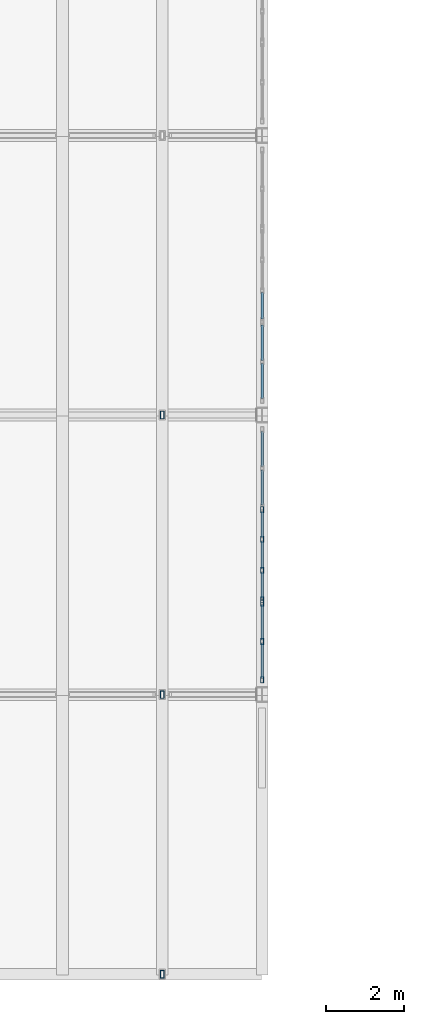
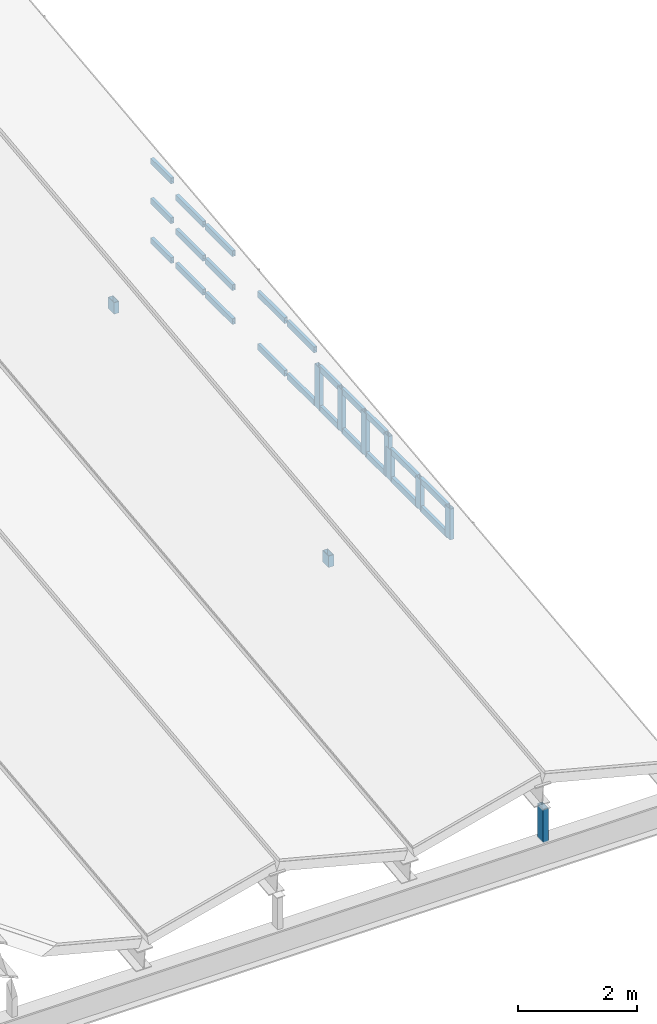
# One storey, part 22 of 39: 33 members, 5 elements without a shape of their own.
"""IFC4 building model written with IfcOpenShell, lengths in metres."""

from ifc_helpers import new_model, si_unit, direction, frame, origin, origin_2d, place, context, subcontext, project, spatial, hollow_rectangle, extrude, material, layer, layer_set, material_profile, profile_set, type_object, element, aggregate, save


model = new_model("IFC4")

# Units and contexts
model_context = context("Model", 3, precision=1e-05, world=origin(), true_north=direction((0.0, 1.0)))
body_context = subcontext(model_context, "Body", "Model", "MODEL_VIEW")
ifc_project = project(units=[si_unit("LENGTHUNIT", "METRE"), si_unit("AREAUNIT", "SQUARE_METRE"), si_unit("VOLUMEUNIT", "CUBIC_METRE"), si_unit("PLANEANGLEUNIT", "RADIAN"), si_unit("MASSUNIT", "GRAM", prefix="KILO"), si_unit("THERMODYNAMICTEMPERATUREUNIT", "KELVIN"), si_unit("POWERUNIT", "WATT")], contexts=[model_context])

# Site, building, storey
site_placement = place(None, origin())
site = spatial("IfcSite", under=ifc_project, at=site_placement, CompositionType="ELEMENT")
building_placement = place(site_placement, origin())
building = spatial("IfcBuilding", under=site, at=building_placement, Name="Kaldorven Railside Theatre", CompositionType="ELEMENT")
storey_placement = place(building_placement, frame((0.0, 0.0, 27.300048828125)))
storey = spatial("IfcBuildingStorey", under=building, at=storey_placement, Name="ROOF", CompositionType="ELEMENT", Elevation=27.300048828125)

# Curtain wall, members
ifc_material_1 = material(Name="Low-E laminated solar-control glass", Category="glass")
ifc_layer_1 = layer(ifc_material_1, 0.159912109375, Name="Low-E laminated solar-control glass")
ifc_layer_set_1 = layer_set([ifc_layer_1], Name="Low-E laminated solar-control glass")
curtain_wall_type_1 = type_object("IfcCurtainWallType", Name="CWT-53", PredefinedType="USERDEFINED", material=ifc_layer_set_1)
curtain_wall_1_placement = place(storey_placement, origin())
curtain_wall_1 = element("IfcCurtainWall", 1, at=curtain_wall_1_placement, inside=storey, type_object=curtain_wall_type_1, Name="Fly-Tower East Crown Clerestory CWG-102", ObjectType="FLUTED GLAZING", PredefinedType="USERDEFINED")
ifc_material_2 = material(Name="Anodised bronze aluminium", Category="aluminium")
ifc_material_profile_1 = material_profile(ifc_material_2, hollow_rectangle(XDim=0.080078125, YDim=0.159912109375, WallThickness=0.00634765625, at=origin_2d()), Name="RHS 160x80x6.3")
ifc_profile_set_1 = profile_set([ifc_material_profile_1], Name="Anodised bronze aluminium")
member_type_1 = type_object("IfcMemberType", Name="CWM-160", PredefinedType="MULLION", material=ifc_profile_set_1)
member_1_placement = place(storey_placement, frame((123.199951171875, 91.580078125, 0.02001953125), z_axis=(0.0, 0.0, 1.0), x_axis=(-1.0, 0.0, 0.0)))
member_1 = element("IfcMember", 2, at=member_1_placement, type_object=member_type_1, Name="CWG-102 mullion 1", PredefinedType="MULLION", context=body_context, shape_type="SweptSolid", body=[
    extrude(hollow_rectangle(XDim=0.080078125, YDim=0.159912109375, WallThickness=0.00634765625, at=origin_2d()), origin(), (0.0, 0.0, 1.0), 0.6298828125),
])
member_2_placement = place(storey_placement, frame((123.199951171875, 92.570068359375, 0.02001953125), z_axis=(0.0, 0.0, 1.0), x_axis=(-1.0, 0.0, 0.0)))
member_2 = element("IfcMember", 3, at=member_2_placement, type_object=member_type_1, Name="CWG-102 mullion 2", PredefinedType="MULLION", context=body_context, shape_type="SweptSolid", body=[
    extrude(hollow_rectangle(XDim=0.080078125, YDim=0.159912109375, WallThickness=0.00634765625, at=origin_2d()), origin(), (0.0, 0.0, 1.0), 0.6298828125),
])
member_3_placement = place(storey_placement, frame((123.199951171875, 93.56005859375, 0.02001953125), z_axis=(0.0, 0.0, 1.0), x_axis=(-1.0, 0.0, 0.0)))
member_3 = element("IfcMember", 4, at=member_3_placement, type_object=member_type_1, Name="CWG-102 mullion 3", PredefinedType="MULLION", context=body_context, shape_type="SweptSolid", body=[
    extrude(hollow_rectangle(XDim=0.080078125, YDim=0.159912109375, WallThickness=0.00634765625, at=origin_2d()), origin(), (0.0, 0.0, 1.0), 0.6298828125),
])

ifc_layer_2 = layer(ifc_material_1, 0.159912109375, Name="Low-E laminated solar-control glass")
ifc_layer_set_2 = layer_set([ifc_layer_2], Name="Low-E laminated solar-control glass")
curtain_wall_type_2 = type_object("IfcCurtainWallType", Name="CWT-27", PredefinedType="USERDEFINED", material=ifc_layer_set_2)
curtain_wall_2_placement = place(storey_placement, origin())
curtain_wall_2 = element("IfcCurtainWall", 5, at=curtain_wall_2_placement, inside=storey, type_object=curtain_wall_type_2, Name="Fly-Tower East Crown Clerestory CWG-103", ObjectType="FLUTED GLAZING", PredefinedType="USERDEFINED")
member_4_placement = place(storey_placement, frame((123.199951171875, 93.639892578125, 0.02001953125), z_axis=(0.0, 0.0, 1.0), x_axis=(-1.0, 0.0, 0.0)))
member_4 = element("IfcMember", 6, at=member_4_placement, type_object=member_type_1, Name="CWG-103 mullion 1", PredefinedType="MULLION", context=body_context, shape_type="SweptSolid", body=[
    extrude(hollow_rectangle(XDim=0.080078125, YDim=0.159912109375, WallThickness=0.00634765625, at=origin_2d()), origin(), (0.0, 0.0, 1.0), 0.869873046875),
])
member_5_placement = place(storey_placement, frame((123.199951171875, 94.39990234375, 0.02001953125), z_axis=(0.0, 0.0, 1.0), x_axis=(-1.0, 0.0, 0.0)))
member_5 = element("IfcMember", 7, at=member_5_placement, type_object=member_type_1, Name="CWG-103 mullion 2", PredefinedType="MULLION", context=body_context, shape_type="SweptSolid", body=[
    extrude(hollow_rectangle(XDim=0.080078125, YDim=0.159912109375, WallThickness=0.00634765625, at=origin_2d()), origin(), (0.0, 0.0, 1.0), 0.869873046875),
])
member_6_placement = place(storey_placement, frame((123.199951171875, 95.199951171875, 0.02001953125), z_axis=(0.0, 0.0, 1.0), x_axis=(-1.0, 0.0, 0.0)))
member_6 = element("IfcMember", 8, at=member_6_placement, type_object=member_type_1, Name="CWG-103 mullion 3", PredefinedType="MULLION", context=body_context, shape_type="SweptSolid", body=[
    extrude(hollow_rectangle(XDim=0.080078125, YDim=0.159912109375, WallThickness=0.00634765625, at=origin_2d()), origin(), (0.0, 0.0, 1.0), 0.869873046875),
])
member_7_placement = place(storey_placement, frame((123.199951171875, 95.9599609375, 0.02001953125), z_axis=(0.0, 0.0, 1.0), x_axis=(-1.0, 0.0, 0.0)))
member_7 = element("IfcMember", 9, at=member_7_placement, type_object=member_type_1, Name="CWG-103 mullion 4", PredefinedType="MULLION", context=body_context, shape_type="SweptSolid", body=[
    extrude(hollow_rectangle(XDim=0.080078125, YDim=0.159912109375, WallThickness=0.00634765625, at=origin_2d()), origin(), (0.0, 0.0, 1.0), 0.869873046875),
])

# Member
ifc_material_profile_2 = material_profile(ifc_material_2, hollow_rectangle(XDim=0.06005859375, YDim=0.1201171875, WallThickness=0.0048828125, at=origin_2d()), Name="RHS 120x60x5")
ifc_profile_set_2 = profile_set([ifc_material_profile_2], Name="Anodised bronze aluminium")
member_type_2 = type_object("IfcMemberType", Name="CWT-120", PredefinedType="USERDEFINED", material=ifc_profile_set_2)
member_8_placement = place(storey_placement, frame((123.199951171875, 91.6201171875, 0.050048828125), z_axis=(0.0, 1.0, 0.0), x_axis=(-1.0, 0.0, 0.0)))
member_8 = element("IfcMember", 10, at=member_8_placement, type_object=member_type_2, Name="CWG-102 transom 1.1", ObjectType="TRANSOM", PredefinedType="USERDEFINED", context=body_context, shape_type="SweptSolid", body=[
    extrude(hollow_rectangle(XDim=0.06005859375, YDim=0.1201171875, WallThickness=0.0048828125, at=origin_2d()), origin(), (0.0, 0.0, 1.0), 0.909912109375),
])

member_9_placement = place(storey_placement, frame((123.199951171875, 91.6201171875, 0.619873046875), z_axis=(0.0, 1.0, 0.0), x_axis=(-1.0, 0.0, 0.0)))
member_9 = element("IfcMember", 11, at=member_9_placement, type_object=member_type_2, Name="CWG-102 transom 1.2", ObjectType="TRANSOM", PredefinedType="USERDEFINED", context=body_context, shape_type="SweptSolid", body=[
    extrude(hollow_rectangle(XDim=0.06005859375, YDim=0.1201171875, WallThickness=0.0048828125, at=origin_2d()), origin(), (0.0, 0.0, 1.0), 0.909912109375),
])

member_10_placement = place(storey_placement, frame((123.199951171875, 92.610107421875, 0.050048828125), z_axis=(0.0, 1.0, 0.0), x_axis=(-1.0, 0.0, 0.0)))
member_10 = element("IfcMember", 12, at=member_10_placement, type_object=member_type_2, Name="CWG-102 transom 2.1", ObjectType="TRANSOM", PredefinedType="USERDEFINED", context=body_context, shape_type="SweptSolid", body=[
    extrude(hollow_rectangle(XDim=0.06005859375, YDim=0.1201171875, WallThickness=0.0048828125, at=origin_2d()), origin(), (0.0, 0.0, 1.0), 0.909912109375),
])

member_11_placement = place(storey_placement, frame((123.199951171875, 92.610107421875, 0.619873046875), z_axis=(0.0, 1.0, 0.0), x_axis=(-1.0, 0.0, 0.0)))
member_11 = element("IfcMember", 13, at=member_11_placement, type_object=member_type_2, Name="CWG-102 transom 2.2", ObjectType="TRANSOM", PredefinedType="USERDEFINED", context=body_context, shape_type="SweptSolid", body=[
    extrude(hollow_rectangle(XDim=0.06005859375, YDim=0.1201171875, WallThickness=0.0048828125, at=origin_2d()), origin(), (0.0, 0.0, 1.0), 0.909912109375),
])

aggregate(curtain_wall_1, [member_1, member_2, member_3, member_8, member_9, member_10, member_11])

member_12_placement = place(storey_placement, frame((123.199951171875, 93.679931640625, 0.050048828125), z_axis=(0.0, 1.0, 0.0), x_axis=(-1.0, 0.0, 0.0)))
member_12 = element("IfcMember", 14, at=member_12_placement, type_object=member_type_2, Name="CWG-103 transom 1.1", ObjectType="TRANSOM", PredefinedType="USERDEFINED", context=body_context, shape_type="SweptSolid", body=[
    extrude(hollow_rectangle(XDim=0.06005859375, YDim=0.1201171875, WallThickness=0.0048828125, at=origin_2d()), origin(), (0.0, 0.0, 1.0), 0.68017578125),
])

member_13_placement = place(storey_placement, frame((123.199951171875, 93.679931640625, 0.85986328125), z_axis=(0.0, 1.0, 0.0), x_axis=(-1.0, 0.0, 0.0)))
member_13 = element("IfcMember", 15, at=member_13_placement, type_object=member_type_2, Name="CWG-103 transom 1.2", ObjectType="TRANSOM", PredefinedType="USERDEFINED", context=body_context, shape_type="SweptSolid", body=[
    extrude(hollow_rectangle(XDim=0.06005859375, YDim=0.1201171875, WallThickness=0.0048828125, at=origin_2d()), origin(), (0.0, 0.0, 1.0), 0.68017578125),
])

member_14_placement = place(storey_placement, frame((123.199951171875, 94.43994140625, 0.050048828125), z_axis=(0.0, 1.0, 0.0), x_axis=(-1.0, 0.0, 0.0)))
member_14 = element("IfcMember", 16, at=member_14_placement, type_object=member_type_2, Name="CWG-103 transom 2.1", ObjectType="TRANSOM", PredefinedType="USERDEFINED", context=body_context, shape_type="SweptSolid", body=[
    extrude(hollow_rectangle(XDim=0.06005859375, YDim=0.1201171875, WallThickness=0.0048828125, at=origin_2d()), origin(), (0.0, 0.0, 1.0), 0.719970703125),
])

member_15_placement = place(storey_placement, frame((123.199951171875, 94.43994140625, 0.85986328125), z_axis=(0.0, 1.0, 0.0), x_axis=(-1.0, 0.0, 0.0)))
member_15 = element("IfcMember", 17, at=member_15_placement, type_object=member_type_2, Name="CWG-103 transom 2.2", ObjectType="TRANSOM", PredefinedType="USERDEFINED", context=body_context, shape_type="SweptSolid", body=[
    extrude(hollow_rectangle(XDim=0.06005859375, YDim=0.1201171875, WallThickness=0.0048828125, at=origin_2d()), origin(), (0.0, 0.0, 1.0), 0.719970703125),
])

member_16_placement = place(storey_placement, frame((123.199951171875, 95.239990234375, 0.050048828125), z_axis=(0.0, 1.0, 0.0), x_axis=(-1.0, 0.0, 0.0)))
member_16 = element("IfcMember", 18, at=member_16_placement, type_object=member_type_2, Name="CWG-103 transom 3.1", ObjectType="TRANSOM", PredefinedType="USERDEFINED", context=body_context, shape_type="SweptSolid", body=[
    extrude(hollow_rectangle(XDim=0.06005859375, YDim=0.1201171875, WallThickness=0.0048828125, at=origin_2d()), origin(), (0.0, 0.0, 1.0), 0.679931640625),
])

member_17_placement = place(storey_placement, frame((123.199951171875, 95.239990234375, 0.85986328125), z_axis=(0.0, 1.0, 0.0), x_axis=(-1.0, 0.0, 0.0)))
member_17 = element("IfcMember", 19, at=member_17_placement, type_object=member_type_2, Name="CWG-103 transom 3.2", ObjectType="TRANSOM", PredefinedType="USERDEFINED", context=body_context, shape_type="SweptSolid", body=[
    extrude(hollow_rectangle(XDim=0.06005859375, YDim=0.1201171875, WallThickness=0.0048828125, at=origin_2d()), origin(), (0.0, 0.0, 1.0), 0.679931640625),
])

aggregate(curtain_wall_2, [member_4, member_5, member_6, member_7, member_12, member_13, member_14, member_15, member_16, member_17])

# Curtain wall, members
ifc_layer_3 = layer(ifc_material_1, 0.159912109375, Name="Low-E laminated solar-control glass")
ifc_layer_set_3 = layer_set([ifc_layer_3], Name="Low-E laminated solar-control glass")
curtain_wall_type_3 = type_object("IfcCurtainWallType", Name="CWT-54", PredefinedType="USERDEFINED", material=ifc_layer_set_3)
curtain_wall_3_placement = place(storey_placement, origin())
curtain_wall_3 = element("IfcCurtainWall", 20, at=curtain_wall_3_placement, inside=storey, type_object=curtain_wall_type_3, Name="Fly-Tower East Crown Clerestory CWG-104", ObjectType="FLUTED GLAZING", PredefinedType="USERDEFINED")
member_18_placement = place(storey_placement, frame((123.199951171875, 96.080078125, 0.050048828125), z_axis=(0.0, 1.0, 0.0), x_axis=(-1.0, 0.0, 0.0)))
member_18 = element("IfcMember", 21, at=member_18_placement, type_object=member_type_2, Name="CWG-104 transom 1.1", ObjectType="TRANSOM", PredefinedType="USERDEFINED", context=body_context, shape_type="SweptSolid", body=[
    extrude(hollow_rectangle(XDim=0.06005859375, YDim=0.1201171875, WallThickness=0.0048828125, at=origin_2d()), origin(), (0.0, 0.0, 1.0), 0.909912109375),
])
member_19_placement = place(storey_placement, frame((123.199951171875, 96.080078125, 1.1298828125), z_axis=(0.0, 1.0, 0.0), x_axis=(-1.0, 0.0, 0.0)))
member_19 = element("IfcMember", 22, at=member_19_placement, type_object=member_type_2, Name="CWG-104 transom 1.2", ObjectType="TRANSOM", PredefinedType="USERDEFINED", context=body_context, shape_type="SweptSolid", body=[
    extrude(hollow_rectangle(XDim=0.06005859375, YDim=0.1201171875, WallThickness=0.0048828125, at=origin_2d()), origin(), (0.0, 0.0, 1.0), 0.909912109375),
])
member_20_placement = place(storey_placement, frame((123.199951171875, 97.070068359375, 0.050048828125), z_axis=(0.0, 1.0, 0.0), x_axis=(-1.0, 0.0, 0.0)))
member_20 = element("IfcMember", 23, at=member_20_placement, type_object=member_type_2, Name="CWG-104 transom 2.1", ObjectType="TRANSOM", PredefinedType="USERDEFINED", context=body_context, shape_type="SweptSolid", body=[
    extrude(hollow_rectangle(XDim=0.06005859375, YDim=0.1201171875, WallThickness=0.0048828125, at=origin_2d()), origin(), (0.0, 0.0, 1.0), 0.909912109375),
])
member_21_placement = place(storey_placement, frame((123.199951171875, 97.070068359375, 1.1298828125), z_axis=(0.0, 1.0, 0.0), x_axis=(-1.0, 0.0, 0.0)))
member_21 = element("IfcMember", 24, at=member_21_placement, type_object=member_type_2, Name="CWG-104 transom 2.2", ObjectType="TRANSOM", PredefinedType="USERDEFINED", context=body_context, shape_type="SweptSolid", body=[
    extrude(hollow_rectangle(XDim=0.06005859375, YDim=0.1201171875, WallThickness=0.0048828125, at=origin_2d()), origin(), (0.0, 0.0, 1.0), 0.909912109375),
])
aggregate(curtain_wall_3, [member_18, member_19, member_20, member_21])

ifc_layer_4 = layer(ifc_material_1, 0.159912109375, Name="Low-E laminated solar-control glass")
ifc_layer_set_4 = layer_set([ifc_layer_4], Name="Low-E laminated solar-control glass")
curtain_wall_type_4 = type_object("IfcCurtainWallType", Name="CWT-55", PredefinedType="USERDEFINED", material=ifc_layer_set_4)
curtain_wall_4_placement = place(storey_placement, origin())
curtain_wall_4 = element("IfcCurtainWall", 25, at=curtain_wall_4_placement, inside=storey, type_object=curtain_wall_type_4, Name="Fly-Tower East Crown Clerestory CWG-105", ObjectType="FLUTED GLAZING", PredefinedType="USERDEFINED")
member_22_placement = place(storey_placement, frame((123.199951171875, 98.820068359375, 0.050048828125), z_axis=(0.0, 1.0, 0.0), x_axis=(-1.0, 0.0, 0.0)))
member_22 = element("IfcMember", 26, at=member_22_placement, type_object=member_type_2, Name="CWG-105 transom 1.1", ObjectType="TRANSOM", PredefinedType="USERDEFINED", context=body_context, shape_type="SweptSolid", body=[
    extrude(hollow_rectangle(XDim=0.06005859375, YDim=0.1201171875, WallThickness=0.0048828125, at=origin_2d()), origin(), (0.0, 0.0, 1.0), 0.909912109375),
])
member_23_placement = place(storey_placement, frame((123.199951171875, 98.820068359375, 0.744873046875), z_axis=(0.0, 1.0, 0.0), x_axis=(-1.0, 0.0, 0.0)))
member_23 = element("IfcMember", 27, at=member_23_placement, type_object=member_type_2, Name="CWG-105 transom 1.2", ObjectType="TRANSOM", PredefinedType="USERDEFINED", context=body_context, shape_type="SweptSolid", body=[
    extrude(hollow_rectangle(XDim=0.06005859375, YDim=0.1201171875, WallThickness=0.0048828125, at=origin_2d()), origin(), (0.0, 0.0, 1.0), 0.909912109375),
])
member_24_placement = place(storey_placement, frame((123.199951171875, 98.820068359375, 1.43994140625), z_axis=(0.0, 1.0, 0.0), x_axis=(-1.0, 0.0, 0.0)))
member_24 = element("IfcMember", 28, at=member_24_placement, type_object=member_type_2, Name="CWG-105 transom 1.3", ObjectType="TRANSOM", PredefinedType="USERDEFINED", context=body_context, shape_type="SweptSolid", body=[
    extrude(hollow_rectangle(XDim=0.06005859375, YDim=0.1201171875, WallThickness=0.0048828125, at=origin_2d()), origin(), (0.0, 0.0, 1.0), 0.909912109375),
])
member_25_placement = place(storey_placement, frame((123.199951171875, 99.81005859375, 0.050048828125), z_axis=(0.0, 1.0, 0.0), x_axis=(-1.0, 0.0, 0.0)))
member_25 = element("IfcMember", 29, at=member_25_placement, type_object=member_type_2, Name="CWG-105 transom 2.1", ObjectType="TRANSOM", PredefinedType="USERDEFINED", context=body_context, shape_type="SweptSolid", body=[
    extrude(hollow_rectangle(XDim=0.06005859375, YDim=0.1201171875, WallThickness=0.0048828125, at=origin_2d()), origin(), (0.0, 0.0, 1.0), 0.909912109375),
])
member_26_placement = place(storey_placement, frame((123.199951171875, 99.81005859375, 0.744873046875), z_axis=(0.0, 1.0, 0.0), x_axis=(-1.0, 0.0, 0.0)))
member_26 = element("IfcMember", 30, at=member_26_placement, type_object=member_type_2, Name="CWG-105 transom 2.2", ObjectType="TRANSOM", PredefinedType="USERDEFINED", context=body_context, shape_type="SweptSolid", body=[
    extrude(hollow_rectangle(XDim=0.06005859375, YDim=0.1201171875, WallThickness=0.0048828125, at=origin_2d()), origin(), (0.0, 0.0, 1.0), 0.909912109375),
])
member_27_placement = place(storey_placement, frame((123.199951171875, 99.81005859375, 1.43994140625), z_axis=(0.0, 1.0, 0.0), x_axis=(-1.0, 0.0, 0.0)))
member_27 = element("IfcMember", 31, at=member_27_placement, type_object=member_type_2, Name="CWG-105 transom 2.3", ObjectType="TRANSOM", PredefinedType="USERDEFINED", context=body_context, shape_type="SweptSolid", body=[
    extrude(hollow_rectangle(XDim=0.06005859375, YDim=0.1201171875, WallThickness=0.0048828125, at=origin_2d()), origin(), (0.0, 0.0, 1.0), 0.909912109375),
])
aggregate(curtain_wall_4, [member_22, member_23, member_24, member_25, member_26, member_27])

ifc_layer_5 = layer(ifc_material_1, 0.159912109375, Name="Low-E laminated solar-control glass")
ifc_layer_set_5 = layer_set([ifc_layer_5], Name="Low-E laminated solar-control glass")
curtain_wall_type_5 = type_object("IfcCurtainWallType", Name="CWT-56", PredefinedType="USERDEFINED", material=ifc_layer_set_5)
curtain_wall_5_placement = place(storey_placement, origin())
curtain_wall_5 = element("IfcCurtainWall", 32, at=curtain_wall_5_placement, inside=storey, type_object=curtain_wall_type_5, Name="Fly-Tower East Crown Clerestory CWG-106", ObjectType="FLUTED GLAZING", PredefinedType="USERDEFINED")
member_28_placement = place(storey_placement, frame((123.199951171875, 100.8798828125, 0.050048828125), z_axis=(0.0, 1.0, 0.0), x_axis=(-1.0, 0.0, 0.0)))
member_28 = element("IfcMember", 33, at=member_28_placement, type_object=member_type_2, Name="CWG-106 transom 1.1", ObjectType="TRANSOM", PredefinedType="USERDEFINED", context=body_context, shape_type="SweptSolid", body=[
    extrude(hollow_rectangle(XDim=0.06005859375, YDim=0.1201171875, WallThickness=0.0048828125, at=origin_2d()), origin(), (0.0, 0.0, 1.0), 0.68017578125),
])
member_29_placement = place(storey_placement, frame((123.199951171875, 100.8798828125, 0.864990234375), z_axis=(0.0, 1.0, 0.0), x_axis=(-1.0, 0.0, 0.0)))
member_29 = element("IfcMember", 34, at=member_29_placement, type_object=member_type_2, Name="CWG-106 transom 1.2", ObjectType="TRANSOM", PredefinedType="USERDEFINED", context=body_context, shape_type="SweptSolid", body=[
    extrude(hollow_rectangle(XDim=0.06005859375, YDim=0.1201171875, WallThickness=0.0048828125, at=origin_2d()), origin(), (0.0, 0.0, 1.0), 0.68017578125),
])
member_30_placement = place(storey_placement, frame((123.199951171875, 100.8798828125, 1.679931640625), z_axis=(0.0, 1.0, 0.0), x_axis=(-1.0, 0.0, 0.0)))
member_30 = element("IfcMember", 35, at=member_30_placement, type_object=member_type_2, Name="CWG-106 transom 1.3", ObjectType="TRANSOM", PredefinedType="USERDEFINED", context=body_context, shape_type="SweptSolid", body=[
    extrude(hollow_rectangle(XDim=0.06005859375, YDim=0.1201171875, WallThickness=0.0048828125, at=origin_2d()), origin(), (0.0, 0.0, 1.0), 0.68017578125),
])
aggregate(curtain_wall_5, [member_28, member_29, member_30])

# Members
ifc_material_3 = material(Name="Steel S355", Category="steel")
ifc_material_profile_3 = material_profile(ifc_material_3, hollow_rectangle(XDim=0.10009765625, YDim=0.199951171875, WallThickness=0.008056640625, at=origin_2d()), Name="RHS 200x100x8")
ifc_profile_set_3 = profile_set([ifc_material_profile_3], Name="Steel S355")
member_type_3 = type_object("IfcMemberType", Name="MEM-RHS200", PredefinedType="STRUT", material=ifc_profile_set_3)
member_31_placement = place(storey_placement, frame((120.62841796875, 84.0, -0.66552734375), z_axis=(0.0, 0.0, 1.0), x_axis=(1.0, 0.0, 0.0)))
element("IfcMember", 36, at=member_31_placement, inside=storey, type_object=member_type_3, Name="V2 S Gable Bearing Post", PredefinedType="STRUT", context=body_context, shape_type="SweptSolid", body=[
    extrude(hollow_rectangle(XDim=0.10009765625, YDim=0.199951171875, WallThickness=0.008056640625, at=origin_2d()), origin(), (0.0, 0.0, 1.0), 0.6875),
])
for number, where, z_axis, x_axis, name in (
    (37, (120.62841796875, 91.199951171875, 0.6044921875), (0.0, 0.0, 1.0), (1.0, 0.0, 0.0), "V2 Folded-Roof King-Post Strut STR-062"),
    (38, (120.62841796875, 98.39990234375, 1.424560546875), (0.0, 0.0, 1.0), (1.0, 0.0, 0.0), "V2 Folded-Roof King-Post Strut STR-063"),
):
    element("IfcMember", number, at=place(storey_placement, frame(where, z_axis=z_axis, x_axis=x_axis)), inside=storey, type_object=member_type_3, Name=name, PredefinedType="STRUT", context=body_context, shape_type="SweptSolid", body=[
        extrude(hollow_rectangle(XDim=0.10009765625, YDim=0.199951171875, WallThickness=0.008056640625, at=origin_2d()), origin(), (0.0, 0.0, 1.0), 0.235595703125),
    ])

save(model, "model.ifc")
